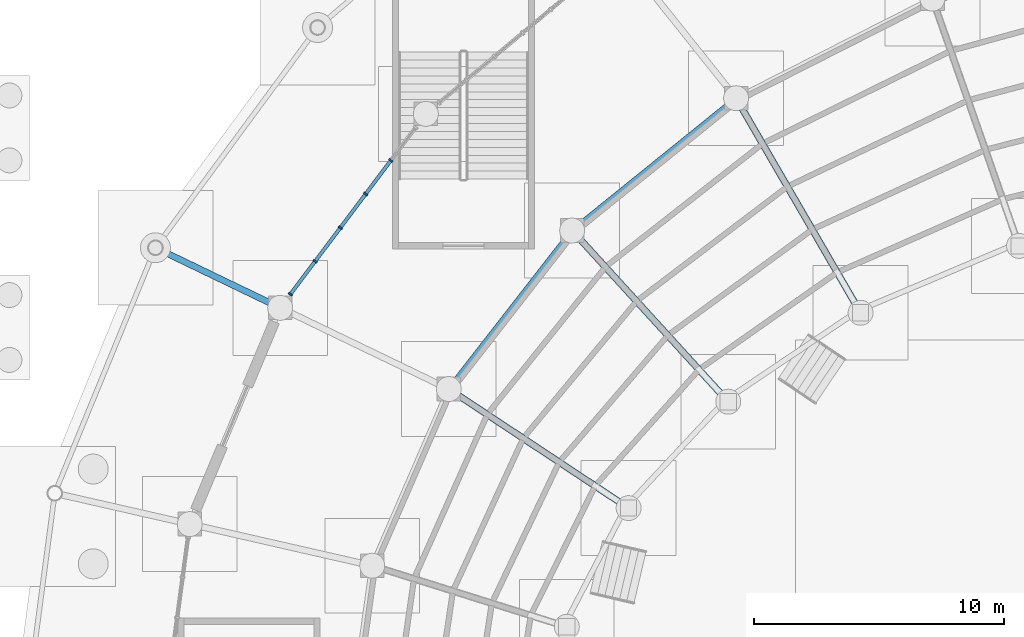
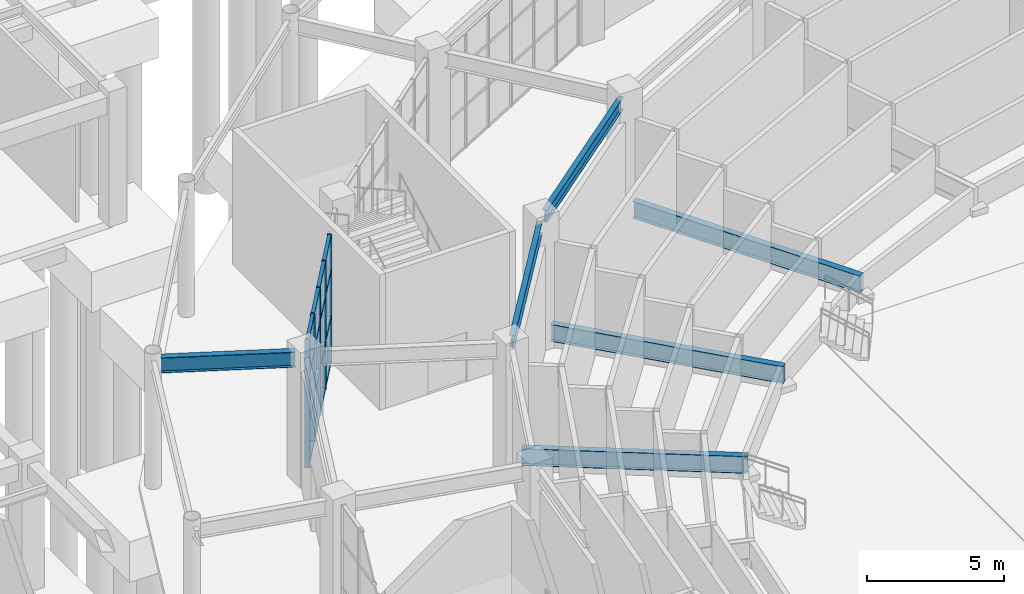
# One storey, part 40 of 121: 21 members, 6 beams, 1 element without a shape of its own.
"""IFC4 building model written with IfcOpenShell, lengths in metres."""

from ifc_helpers import new_model, si_unit, direction, frame, origin, origin_2d, place, context, subcontext, project, spatial, rectangle, i_section, extrude, material, material_profile, profile_set, type_object, element, aggregate, save


model = new_model("IFC4")

# Units and contexts
model_context = context("Model", 3, precision=1e-05, world=origin(), true_north=direction((0.0, 1.0)))
body_context = subcontext(model_context, "Body", "Model", "MODEL_VIEW")
ifc_project = project(units=[si_unit("LENGTHUNIT", "METRE"), si_unit("AREAUNIT", "SQUARE_METRE"), si_unit("VOLUMEUNIT", "CUBIC_METRE"), si_unit("PLANEANGLEUNIT", "RADIAN"), si_unit("MASSUNIT", "GRAM", prefix="KILO")], contexts=[model_context])

# Site, building, storey
site_placement = place(None, origin())
site = spatial("IfcSite", under=ifc_project, at=site_placement, CompositionType="ELEMENT")
building_placement = place(site_placement, origin())
building = spatial("IfcBuilding", under=site, at=building_placement, Name="Cuetzalor Civic Arena", CompositionType="ELEMENT")
storey_placement = place(building_placement, origin())
storey = spatial("IfcBuildingStorey", under=building, at=storey_placement, Name="L00", CompositionType="ELEMENT", Elevation=0.0)

# Curtain wall, members
ifc_material_1 = material(Name="Anodised dark bronze aluminium and low-E solar glass", Category="aluminium")
curtain_wall_type = type_object("IfcCurtainWallType", Name="UnitisedCW_8450x5700", PredefinedType="USERDEFINED", material=ifc_material_1)
curtain_wall_placement = place(storey_placement, origin())
curtain_wall = element("IfcCurtainWall", 1, at=curtain_wall_placement, inside=storey, type_object=curtain_wall_type, Name="Drum Ground Recessed Concourse Curtain Wall L00-009", ObjectType="UNITISED CURTAIN WALL", PredefinedType="USERDEFINED")
ifc_material_2 = material(Name="Anodised dark bronze aluminium", Category="aluminium")
ifc_material_profile_1 = material_profile(ifc_material_2, rectangle(XDim=0.070068359375, YDim=0.179931640625, at=origin_2d()), Name="ALU MULLION 70x180")
ifc_profile_set_1 = profile_set([ifc_material_profile_1], Name="Anodised dark bronze aluminium")
member_type_1 = type_object("IfcMemberType", Name="CurtainWallMullion_65x180", PredefinedType="MULLION", material=ifc_profile_set_1)
member_1_placement = place(storey_placement, frame((-43.738037109375, 18.33447265625, 0.0), z_axis=(0.0, 0.0, 1.0), x_axis=(0.600491594925, 0.799631067696, 0.0)))
member_1 = element("IfcMember", 2, at=member_1_placement, type_object=member_type_1, Name="CW-02 mullion 1", PredefinedType="MULLION", context=body_context, shape_type="SweptSolid", body=[
    extrude(rectangle(XDim=0.070068359375, YDim=0.179931640625, at=origin_2d()), origin(), (0.0, 0.0, 1.0), 5.699951171875),
])
member_2_placement = place(storey_placement, frame((-42.746826171875, 19.654541015625, 0.0), z_axis=(0.0, 0.0, 1.0), x_axis=(0.600491594925, 0.799631067696, 0.0)))
member_2 = element("IfcMember", 3, at=member_2_placement, type_object=member_type_1, Name="CW-02 mullion 2", PredefinedType="MULLION", context=body_context, shape_type="SweptSolid", body=[
    extrude(rectangle(XDim=0.070068359375, YDim=0.179931640625, at=origin_2d()), origin(), (0.0, 0.0, 1.0), 5.699951171875),
])
member_3_placement = place(storey_placement, frame((-41.734619140625, 21.002197265625, 0.0), z_axis=(0.0, 0.0, 1.0), x_axis=(0.600491594925, 0.799631067696, 0.0)))
member_3 = element("IfcMember", 4, at=member_3_placement, type_object=member_type_1, Name="CW-02 mullion 3", PredefinedType="MULLION", context=body_context, shape_type="SweptSolid", body=[
    extrude(rectangle(XDim=0.070068359375, YDim=0.179931640625, at=origin_2d()), origin(), (0.0, 0.0, 1.0), 5.699951171875),
])
member_4_placement = place(storey_placement, frame((-40.722412109375, 22.35009765625, 0.0), z_axis=(0.0, 0.0, 1.0), x_axis=(0.600491594925, 0.799631067696, 0.0)))
member_4 = element("IfcMember", 5, at=member_4_placement, type_object=member_type_1, Name="CW-02 mullion 4", PredefinedType="MULLION", context=body_context, shape_type="SweptSolid", body=[
    extrude(rectangle(XDim=0.070068359375, YDim=0.179931640625, at=origin_2d()), origin(), (0.0, 0.0, 1.0), 5.699951171875),
])
member_5_placement = place(storey_placement, frame((-39.71044921875, 23.697998046875, 0.0), z_axis=(0.0, 0.0, 1.0), x_axis=(0.600491594925, 0.799631067696, 0.0)))
member_5 = element("IfcMember", 6, at=member_5_placement, type_object=member_type_1, Name="CW-02 mullion 5", PredefinedType="MULLION", context=body_context, shape_type="SweptSolid", body=[
    extrude(rectangle(XDim=0.070068359375, YDim=0.179931640625, at=origin_2d()), origin(), (0.0, 0.0, 1.0), 5.699951171875),
])
ifc_material_3 = material(Name="Anodised dark bronze aluminium", Category="aluminium")
ifc_material_profile_2 = material_profile(ifc_material_3, rectangle(XDim=0.139892578125, YDim=0.070068359375, at=origin_2d()), Name="ALU TRANSOM 70x140")
ifc_profile_set_2 = profile_set([ifc_material_profile_2], Name="Anodised dark bronze aluminium")
member_type_2 = type_object("IfcMemberType", Name="CurtainWallTransom_65x140", PredefinedType="USERDEFINED", material=ifc_profile_set_2)
member_6_placement = place(storey_placement, frame((-43.717041015625, 18.362548828125, 0.034912109375), z_axis=(0.600518840652, 0.799610606496, 0.0), x_axis=(-0.799610606496, 0.600518840652, 0.0)))
member_6 = element("IfcMember", 7, at=member_6_placement, type_object=member_type_2, Name="CW-02 transom 1.1", ObjectType="TRANSOM", PredefinedType="USERDEFINED", context=body_context, shape_type="SweptSolid", body=[
    extrude(rectangle(XDim=0.139892578125, YDim=0.070068359375, at=origin_2d()), origin(), (0.0, 0.0, 1.0), 1.58056640625),
])
member_7_placement = place(storey_placement, frame((-43.717041015625, 18.362548828125, 2.052001953125), z_axis=(0.600518840652, 0.799610606496, 0.0), x_axis=(-0.799610606496, 0.600518840652, 0.0)))
member_7 = element("IfcMember", 8, at=member_7_placement, type_object=member_type_2, Name="CW-02 transom 1.2", ObjectType="TRANSOM", PredefinedType="USERDEFINED", context=body_context, shape_type="SweptSolid", body=[
    extrude(rectangle(XDim=0.139892578125, YDim=0.070068359375, at=origin_2d()), origin(), (0.0, 0.0, 1.0), 1.58056640625),
])
member_8_placement = place(storey_placement, frame((-43.717041015625, 18.362548828125, 4.10400390625), z_axis=(0.600518840652, 0.799610606496, 0.0), x_axis=(-0.799610606496, 0.600518840652, 0.0)))
member_8 = element("IfcMember", 9, at=member_8_placement, type_object=member_type_2, Name="CW-02 transom 1.3", ObjectType="TRANSOM", PredefinedType="USERDEFINED", context=body_context, shape_type="SweptSolid", body=[
    extrude(rectangle(XDim=0.139892578125, YDim=0.070068359375, at=origin_2d()), origin(), (0.0, 0.0, 1.0), 1.58056640625),
])
member_9_placement = place(storey_placement, frame((-43.717041015625, 18.362548828125, 5.6650390625), z_axis=(0.600518840652, 0.799610606496, 0.0), x_axis=(-0.799610606496, 0.600518840652, 0.0)))
member_9 = element("IfcMember", 10, at=member_9_placement, type_object=member_type_2, Name="CW-02 transom 1.4", ObjectType="TRANSOM", PredefinedType="USERDEFINED", context=body_context, shape_type="SweptSolid", body=[
    extrude(rectangle(XDim=0.139892578125, YDim=0.070068359375, at=origin_2d()), origin(), (0.0, 0.0, 1.0), 1.58056640625),
])
member_10_placement = place(storey_placement, frame((-42.725830078125, 19.682373046875, 0.034912109375), z_axis=(0.600483420085, 0.799637206615, 0.0), x_axis=(-0.799637206615, 0.600483420085, 0.0)))
member_10 = element("IfcMember", 11, at=member_10_placement, type_object=member_type_2, Name="CW-02 transom 2.1", ObjectType="TRANSOM", PredefinedType="USERDEFINED", context=body_context, shape_type="SweptSolid", body=[
    extrude(rectangle(XDim=0.139892578125, YDim=0.070068359375, at=origin_2d()), origin(), (0.0, 0.0, 1.0), 1.61572265625),
])
member_11_placement = place(storey_placement, frame((-42.725830078125, 19.682373046875, 2.052001953125), z_axis=(0.600483420085, 0.799637206615, 0.0), x_axis=(-0.799637206615, 0.600483420085, 0.0)))
member_11 = element("IfcMember", 12, at=member_11_placement, type_object=member_type_2, Name="CW-02 transom 2.2", ObjectType="TRANSOM", PredefinedType="USERDEFINED", context=body_context, shape_type="SweptSolid", body=[
    extrude(rectangle(XDim=0.139892578125, YDim=0.070068359375, at=origin_2d()), origin(), (0.0, 0.0, 1.0), 1.61572265625),
])
member_12_placement = place(storey_placement, frame((-42.725830078125, 19.682373046875, 4.10400390625), z_axis=(0.600483420085, 0.799637206615, 0.0), x_axis=(-0.799637206615, 0.600483420085, 0.0)))
member_12 = element("IfcMember", 13, at=member_12_placement, type_object=member_type_2, Name="CW-02 transom 2.3", ObjectType="TRANSOM", PredefinedType="USERDEFINED", context=body_context, shape_type="SweptSolid", body=[
    extrude(rectangle(XDim=0.139892578125, YDim=0.070068359375, at=origin_2d()), origin(), (0.0, 0.0, 1.0), 1.61572265625),
])
member_13_placement = place(storey_placement, frame((-42.725830078125, 19.682373046875, 5.6650390625), z_axis=(0.600483420085, 0.799637206615, 0.0), x_axis=(-0.799637206615, 0.600483420085, 0.0)))
member_13 = element("IfcMember", 14, at=member_13_placement, type_object=member_type_2, Name="CW-02 transom 2.4", ObjectType="TRANSOM", PredefinedType="USERDEFINED", context=body_context, shape_type="SweptSolid", body=[
    extrude(rectangle(XDim=0.139892578125, YDim=0.070068359375, at=origin_2d()), origin(), (0.0, 0.0, 1.0), 1.61572265625),
])
member_14_placement = place(storey_placement, frame((-41.713623046875, 21.0302734375, 0.034912109375), z_axis=(0.600459351447, 0.799655280268, 0.0), x_axis=(-0.799655280268, 0.600459351447, 0.0)))
member_14 = element("IfcMember", 15, at=member_14_placement, type_object=member_type_2, Name="CW-02 transom 3.1", ObjectType="TRANSOM", PredefinedType="USERDEFINED", context=body_context, shape_type="SweptSolid", body=[
    extrude(rectangle(XDim=0.139892578125, YDim=0.070068359375, at=origin_2d()), origin(), (0.0, 0.0, 1.0), 1.615478515625),
])
member_15_placement = place(storey_placement, frame((-41.713623046875, 21.0302734375, 2.052001953125), z_axis=(0.600459351447, 0.799655280268, 0.0), x_axis=(-0.799655280268, 0.600459351447, 0.0)))
member_15 = element("IfcMember", 16, at=member_15_placement, type_object=member_type_2, Name="CW-02 transom 3.2", ObjectType="TRANSOM", PredefinedType="USERDEFINED", context=body_context, shape_type="SweptSolid", body=[
    extrude(rectangle(XDim=0.139892578125, YDim=0.070068359375, at=origin_2d()), origin(), (0.0, 0.0, 1.0), 1.615478515625),
])
member_16_placement = place(storey_placement, frame((-41.713623046875, 21.0302734375, 4.10400390625), z_axis=(0.600459351447, 0.799655280268, 0.0), x_axis=(-0.799655280268, 0.600459351447, 0.0)))
member_16 = element("IfcMember", 17, at=member_16_placement, type_object=member_type_2, Name="CW-02 transom 3.3", ObjectType="TRANSOM", PredefinedType="USERDEFINED", context=body_context, shape_type="SweptSolid", body=[
    extrude(rectangle(XDim=0.139892578125, YDim=0.070068359375, at=origin_2d()), origin(), (0.0, 0.0, 1.0), 1.615478515625),
])
member_17_placement = place(storey_placement, frame((-41.713623046875, 21.0302734375, 5.6650390625), z_axis=(0.600459351447, 0.799655280268, 0.0), x_axis=(-0.799655280268, 0.600459351447, 0.0)))
member_17 = element("IfcMember", 18, at=member_17_placement, type_object=member_type_2, Name="CW-02 transom 3.4", ObjectType="TRANSOM", PredefinedType="USERDEFINED", context=body_context, shape_type="SweptSolid", body=[
    extrude(rectangle(XDim=0.139892578125, YDim=0.070068359375, at=origin_2d()), origin(), (0.0, 0.0, 1.0), 1.615478515625),
])
member_18_placement = place(storey_placement, frame((-40.701416015625, 22.3779296875, 0.034912109375), z_axis=(0.600386788689, 0.799709762331, 0.0), x_axis=(-0.799709762331, 0.600386788689, 0.0)))
member_18 = element("IfcMember", 19, at=member_18_placement, type_object=member_type_2, Name="CW-02 transom 4.1", ObjectType="TRANSOM", PredefinedType="USERDEFINED", context=body_context, shape_type="SweptSolid", body=[
    extrude(rectangle(XDim=0.139892578125, YDim=0.070068359375, at=origin_2d()), origin(), (0.0, 0.0, 1.0), 1.615478515625),
])
member_19_placement = place(storey_placement, frame((-40.701416015625, 22.3779296875, 2.052001953125), z_axis=(0.600386788689, 0.799709762331, 0.0), x_axis=(-0.799709762331, 0.600386788689, 0.0)))
member_19 = element("IfcMember", 20, at=member_19_placement, type_object=member_type_2, Name="CW-02 transom 4.2", ObjectType="TRANSOM", PredefinedType="USERDEFINED", context=body_context, shape_type="SweptSolid", body=[
    extrude(rectangle(XDim=0.139892578125, YDim=0.070068359375, at=origin_2d()), origin(), (0.0, 0.0, 1.0), 1.615478515625),
])
member_20_placement = place(storey_placement, frame((-40.701416015625, 22.3779296875, 4.10400390625), z_axis=(0.600386788689, 0.799709762331, 0.0), x_axis=(-0.799709762331, 0.600386788689, 0.0)))
member_20 = element("IfcMember", 21, at=member_20_placement, type_object=member_type_2, Name="CW-02 transom 4.3", ObjectType="TRANSOM", PredefinedType="USERDEFINED", context=body_context, shape_type="SweptSolid", body=[
    extrude(rectangle(XDim=0.139892578125, YDim=0.070068359375, at=origin_2d()), origin(), (0.0, 0.0, 1.0), 1.615478515625),
])
member_21_placement = place(storey_placement, frame((-40.701416015625, 22.3779296875, 5.6650390625), z_axis=(0.600386788689, 0.799709762331, 0.0), x_axis=(-0.799709762331, 0.600386788689, 0.0)))
member_21 = element("IfcMember", 22, at=member_21_placement, type_object=member_type_2, Name="CW-02 transom 4.4", ObjectType="TRANSOM", PredefinedType="USERDEFINED", context=body_context, shape_type="SweptSolid", body=[
    extrude(rectangle(XDim=0.139892578125, YDim=0.070068359375, at=origin_2d()), origin(), (0.0, 0.0, 1.0), 1.615478515625),
])
aggregate(curtain_wall, [member_1, member_2, member_3, member_4, member_5, member_6, member_7, member_8, member_9, member_10, member_11, member_12, member_13, member_14, member_15, member_16, member_17, member_18, member_19, member_20, member_21])

# Beams
ifc_material_4 = material(Name="Steel S355", Category="steel")
ifc_material_profile_3 = material_profile(ifc_material_4, i_section(OverallWidth=0.264892578125, OverallDepth=0.7529296875, WebThickness=0.01318359375, FlangeThickness=0.01708984375, at=origin_2d()), Name="W760x147")
ifc_profile_set_3 = profile_set([ifc_material_profile_3], Name="Steel S355")
beam_type_1 = type_object("IfcBeamType", Name="LowerBowlRakerBeam_W760", PredefinedType="USERDEFINED", material=ifc_profile_set_3)
beam_1_placement = place(storey_placement, frame((-20.886962890625, 17.59130859375, 0.6435546875), z_axis=(-0.501694731914, 0.865044736398, 0.0), x_axis=(-0.865044736398, -0.501694731914, 0.0)))
element("IfcBeam", 23, at=beam_1_placement, inside=storey, type_object=beam_type_1, Name="Lower Bowl Raker Beam R11", ObjectType="RAKER", PredefinedType="USERDEFINED", context=body_context, shape_type="SweptSolid", body=[
    extrude(i_section(OverallWidth=0.264892578125, OverallDepth=0.7529296875, WebThickness=0.01318359375, FlangeThickness=0.01708984375, at=origin_2d()), origin(), (0.0, 0.0, 1.0), 9.5419921875),
])
beam_2_placement = place(storey_placement, frame((-26.19140625, 14.028564453125, 0.6435546875), z_axis=(-0.673841701985, 0.738875741018, 0.0), x_axis=(-0.738875741018, -0.673841701985, 0.0)))
element("IfcBeam", 24, at=beam_2_placement, inside=storey, type_object=beam_type_1, Name="Lower Bowl Raker Beam R12", ObjectType="RAKER", PredefinedType="USERDEFINED", context=body_context, shape_type="SweptSolid", body=[
    extrude(i_section(OverallWidth=0.264892578125, OverallDepth=0.7529296875, WebThickness=0.01318359375, FlangeThickness=0.01708984375, at=origin_2d()), origin(), (0.0, 0.0, 1.0), 8.882080078125),
])
beam_3_placement = place(storey_placement, frame((-30.1826171875, 9.762451171875, 0.6435546875), z_axis=(-0.833777450738, 0.552100681615, 0.0), x_axis=(-0.552100681615, -0.833777450738, 0.0)))
element("IfcBeam", 25, at=beam_3_placement, inside=storey, type_object=beam_type_1, Name="Lower Bowl Raker Beam R13", ObjectType="RAKER", PredefinedType="USERDEFINED", context=body_context, shape_type="SweptSolid", body=[
    extrude(i_section(OverallWidth=0.264892578125, OverallDepth=0.7529296875, WebThickness=0.01318359375, FlangeThickness=0.01708984375, at=origin_2d()), origin(), (0.0, 0.0, 1.0), 8.244384765625),
])
ifc_material_5 = material(Name="Steel S355", Category="steel")
ifc_material_profile_4 = material_profile(ifc_material_5, i_section(OverallWidth=0.208984375, OverallDepth=0.532958984375, WebThickness=0.01025390625, FlangeThickness=0.015625, at=origin_2d()), Name="W530x92")
ifc_profile_set_4 = profile_set([ifc_material_profile_4], Name="Steel S355")
beam_type_2 = type_object("IfcBeamType", Name="SteelCollarGirder_W530", PredefinedType="BEAM", material=ifc_profile_set_4)
beam_4_placement = place(storey_placement, frame((-26.15478515625, 25.96533203125, 5.43359375), z_axis=(-0.77812651983, -0.628107569719, 0.0), x_axis=(0.628107569719, -0.77812651983, 0.0)))
element("IfcBeam", 26, at=beam_4_placement, inside=storey, type_object=beam_type_2, Name="Bowl Inner Ring Girder L00-S11", PredefinedType="BEAM", context=body_context, shape_type="SweptSolid", body=[
    extrude(i_section(OverallWidth=0.208984375, OverallDepth=0.532958984375, WebThickness=0.01025390625, FlangeThickness=0.015625, at=origin_2d()), origin(), (0.0, 0.0, 1.0), 7.725341796875),
])
beam_5_placement = place(storey_placement, frame((-32.6669921875, 20.602783203125, 5.43359375), z_axis=(-0.614261103096, -0.789102843249, 0.0), x_axis=(0.789102843249, -0.614261103096, 0.0)))
element("IfcBeam", 27, at=beam_5_placement, inside=storey, type_object=beam_type_2, Name="Bowl Inner Ring Girder L00-S12", PredefinedType="BEAM", context=body_context, shape_type="SweptSolid", body=[
    extrude(i_section(OverallWidth=0.208984375, OverallDepth=0.532958984375, WebThickness=0.01025390625, FlangeThickness=0.015625, at=origin_2d()), origin(), (0.0, 0.0, 1.0), 7.329345703125),
])
ifc_material_6 = material(Name="Steel S355", Category="steel")
ifc_material_profile_5 = material_profile(ifc_material_6, i_section(OverallWidth=0.2529296875, OverallDepth=0.677978515625, WebThickness=0.01171875, FlangeThickness=0.016357421875, at=origin_2d()), Name="W690x125")
ifc_profile_set_5 = profile_set([ifc_material_profile_5], Name="Steel S355")
beam_type_3 = type_object("IfcBeamType", Name="SteelPrimaryGirder_W690", PredefinedType="BEAM", material=ifc_profile_set_5)
beam_6_placement = place(storey_placement, frame((-44.4716796875, 17.9453125, 5.361083984375), z_axis=(-0.900964883231, 0.433892013275, 0.0), x_axis=(-0.433892013275, -0.900964883231, 0.0)))
element("IfcBeam", 28, at=beam_6_placement, inside=storey, type_object=beam_type_3, Name="Drum Radial Girder L00-R13", PredefinedType="BEAM", context=body_context, shape_type="SweptSolid", body=[
    extrude(i_section(OverallWidth=0.2529296875, OverallDepth=0.677978515625, WebThickness=0.01171875, FlangeThickness=0.016357421875, at=origin_2d()), origin(), (0.0, 0.0, 1.0), 4.900390625),
])

save(model, "model.ifc")
